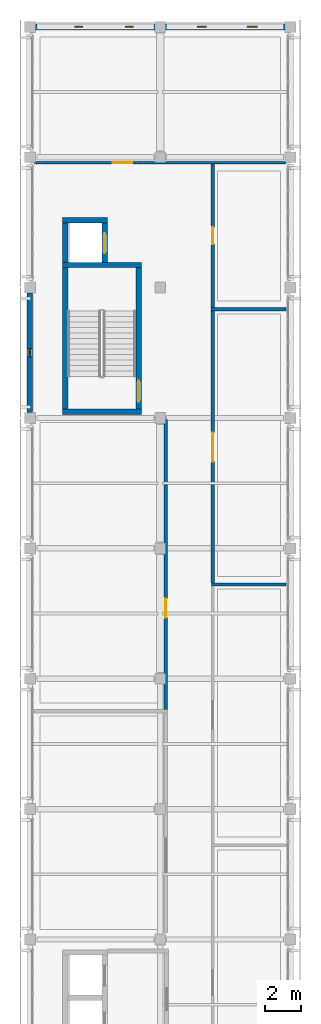
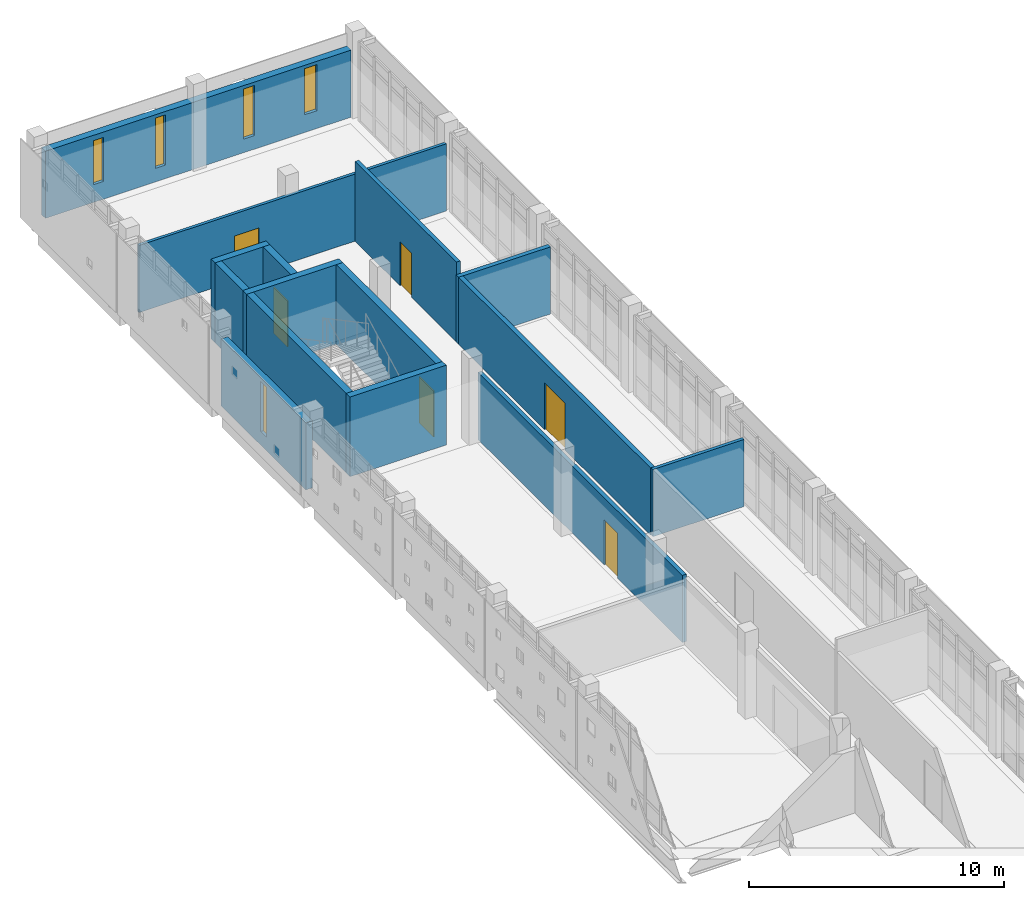
# One storey, part 16 of 21: 15 walls, 6 doors, 5 windows, 11 openings.
"""IFC4 building model written with IfcOpenShell, lengths in metres."""

from ifc_helpers import new_model, si_unit, direction, frame, frame_2d, origin, place, context, subcontext, project, spatial, rectangle, extrude, material, layer, layer_set, type_object, element, fill, save


model = new_model("IFC4")

# Units and contexts
model_context = context("Model", 3, precision=1e-05, world=origin(), true_north=direction((0.0, 1.0)))
body_context = subcontext(model_context, "Body", "Model", "MODEL_VIEW")
ifc_project = project(units=[si_unit("LENGTHUNIT", "METRE"), si_unit("AREAUNIT", "SQUARE_METRE"), si_unit("VOLUMEUNIT", "CUBIC_METRE"), si_unit("PLANEANGLEUNIT", "RADIAN"), si_unit("MASSUNIT", "GRAM", prefix="KILO")], contexts=[model_context])

# Site, building, storey
site_placement = place(None, origin())
site = spatial("IfcSite", under=ifc_project, at=site_placement, CompositionType="ELEMENT")
building_placement = place(site_placement, origin())
building = spatial("IfcBuilding", under=site, at=building_placement, Name="Valkovuoma Quantum and Materials Research Institute", CompositionType="ELEMENT")
storey_placement = place(building_placement, frame((0.0, 0.0, 29.760009765625)))
storey = spatial("IfcBuildingStorey", under=building, at=storey_placement, Name="L07", CompositionType="ELEMENT", Elevation=29.760009765625)

# Walls
ifc_material_1 = material(Name="Concrete C40/50", Category="concrete")
ifc_layer_1 = layer(ifc_material_1, 0.300048828125)
ifc_layer_set_1 = layer_set([ifc_layer_1], Name="Concrete C40/50")
wall_type_1 = type_object("IfcWallType", Name="Wall-W-COR300", PredefinedType="SHEAR", material=ifc_layer_set_1)
for number, where, z_axis, x_axis, name in (
    (1, (1.800048828125, 72.35009765625, 0.0), (0.0, 0.0, 1.0), (1.0, 0.0, 0.0), "L07 core wall 0178"),
    (2, (1.800048828125, 80.449951171875, 0.0), (0.0, 0.0, 1.0), (1.0, 0.0, 0.0), "L07 core wall 0179"),
):
    element("IfcWall", number, at=place(storey_placement, frame(where, z_axis=z_axis, x_axis=x_axis)), inside=storey, type_object=wall_type_1, Name=name, PredefinedType="SHEAR", context=body_context, shape_type="SweptSolid", body=[
        extrude(rectangle(XDim=4.349853515625, YDim=0.300048828125, at=frame_2d((2.1748046875, 0.0))), origin(), (0.0, 0.0, 1.0), 3.81005859375),
    ])
wall_1_placement = place(storey_placement, frame((1.949951171875, 72.5, 0.0), z_axis=(0.0, 0.0, 1.0), x_axis=(0.0, 1.0, 0.0)))
element("IfcWall", 3, at=wall_1_placement, inside=storey, type_object=wall_type_1, Name="L07 core wall 0180", PredefinedType="SHEAR", context=body_context, shape_type="SweptSolid", body=[
    extrude(rectangle(XDim=7.800048828125, YDim=0.300048828125, at=frame_2d((3.89990234375, 0.0))), origin(), (0.0, 0.0, 1.0), 3.81005859375),
])

# Wall, opening, door
wall_2_placement = place(storey_placement, frame((6.0, 72.5, 0.0), z_axis=(0.0, 0.0, 1.0), x_axis=(0.0, 1.0, 0.0)))
wall_2 = element("IfcWall", 4, at=wall_2_placement, inside=storey, type_object=wall_type_1, Name="L07 core wall 0181", PredefinedType="SHEAR", context=body_context, shape_type="SweptSolid", body=[
    extrude(rectangle(XDim=7.800048828125, YDim=0.300048828125, at=frame_2d((3.89990234375, 0.0))), origin(), (0.0, 0.0, 1.0), 3.81005859375),
])
opening_1_placement = place(wall_2_placement, frame((0.39990234375, 0.0, 0.0)))
opening_1 = element("IfcOpeningElement", 5, at=opening_1_placement, cuts=wall_2, Name="Opening SD-031", PredefinedType="OPENING", context=body_context, shape_type="SweptSolid", body=[
    extrude(rectangle(XDim=1.14990234375, YDim=2.199951171875, at=frame_2d((0.574951171875, 1.10009765625))), frame((0.0, 0.16015625, 0.0), z_axis=(0.0, -1.0, 0.0), x_axis=(1.0, 0.0, 0.0)), (0.0, 0.0, 1.0), 0.320068359375),
])
ifc_material_2 = material(Name="Powder-coated steel and acoustic timber door assembly", Category="steel")
door_type_1 = type_object("IfcDoorType", Name="Door-DR-ST60", OperationType="NOTDEFINED", PredefinedType="DOOR", material=ifc_material_2)
door_1_placement = place(opening_1_placement, origin())
door_1 = element("IfcDoor", 6, at=door_1_placement, inside=storey, type_object=door_type_1, Name="L07 ST-2 fire door", OperationType="SINGLE_SWING_RIGHT", OverallHeight=2.199951171875, OverallWidth=1.14990234375, PredefinedType="DOOR", context=body_context, shape_type="SweptSolid", body=[
    extrude(rectangle(XDim=1.14990234375, YDim=2.199951171875, at=frame_2d((0.574951171875, 1.10009765625))), frame((0.0, 0.02490234375, 0.0), z_axis=(0.0, -1.0, 0.0), x_axis=(1.0, 0.0, 0.0)), (0.0, 0.0, 1.0), 0.050048828125),
])
fill(opening_1, door_1)

# Walls
wall_3_placement = place(storey_placement, frame((1.800048828125, 82.929931640625, 0.0), z_axis=(0.0, 0.0, 1.0), x_axis=(1.0, 0.0, 0.0)))
element("IfcWall", 7, at=wall_3_placement, inside=storey, type_object=wall_type_1, Name="L07 core wall 0182", PredefinedType="SHEAR", context=body_context, shape_type="SweptSolid", body=[
    extrude(rectangle(XDim=2.47998046875, YDim=0.300048828125, at=frame_2d((1.239990234375, 0.0))), origin(), (0.0, 0.0, 1.0), 3.81005859375),
])
wall_4_placement = place(storey_placement, frame((1.949951171875, 80.60009765625, 0.0), z_axis=(0.0, 0.0, 1.0), x_axis=(0.0, 1.0, 0.0)))
element("IfcWall", 8, at=wall_4_placement, inside=storey, type_object=wall_type_1, Name="L07 core wall 0183", PredefinedType="SHEAR", context=body_context, shape_type="SweptSolid", body=[
    extrude(rectangle(XDim=2.179931640625, YDim=0.300048828125, at=frame_2d((1.08984375, 0.0))), origin(), (0.0, 0.0, 1.0), 3.81005859375),
])

# Wall, opening, door
wall_5_placement = place(storey_placement, frame((4.1298828125, 80.60009765625, 0.0), z_axis=(0.0, 0.0, 1.0), x_axis=(0.0, 1.0, 0.0)))
wall_5 = element("IfcWall", 9, at=wall_5_placement, inside=storey, type_object=wall_type_1, Name="L07 core wall 0184", PredefinedType="SHEAR", context=body_context, shape_type="SweptSolid", body=[
    extrude(rectangle(XDim=2.179931640625, YDim=0.300048828125, at=frame_2d((1.08984375, 0.0))), origin(), (0.0, 0.0, 1.0), 3.81005859375),
])
opening_2_placement = place(wall_5_placement, frame((0.5, 0.0, 0.0)))
opening_2 = element("IfcOpeningElement", 10, at=opening_2_placement, cuts=wall_5, Name="Opening LD-031", PredefinedType="OPENING", context=body_context, shape_type="SweptSolid", body=[
    extrude(rectangle(XDim=1.10009765625, YDim=2.199951171875, at=frame_2d((0.550048828125, 1.10009765625))), frame((0.0, 0.16015625, 0.0), z_axis=(0.0, -1.0, 0.0), x_axis=(1.0, 0.0, 0.0)), (0.0, 0.0, 1.0), 0.320068359375),
])
ifc_material_3 = material(Name="Powder-coated steel and acoustic timber door assembly", Category="steel")
door_type_2 = type_object("IfcDoorType", Name="Door-DR-LD01", OperationType="NOTDEFINED", PredefinedType="DOOR", material=ifc_material_3)
door_2_placement = place(opening_2_placement, origin())
door_2 = element("IfcDoor", 11, at=door_2_placement, inside=storey, type_object=door_type_2, Name="L07 LIFT-P2 sliding landing door", OperationType="SLIDING_TO_LEFT", OverallHeight=2.199951171875, OverallWidth=1.10009765625, PredefinedType="DOOR", context=body_context, shape_type="SweptSolid", body=[
    extrude(rectangle(XDim=1.10009765625, YDim=2.199951171875, at=frame_2d((0.550048828125, 1.10009765625))), frame((0.0, 0.02490234375, 0.0), z_axis=(0.0, -1.0, 0.0), x_axis=(1.0, 0.0, 0.0)), (0.0, 0.0, 1.0), 0.050048828125),
])
fill(opening_2, door_2)

# Wall, opening, window
ifc_material_4 = material(Name="Precast concrete C40/50", Category="concrete")
ifc_layer_2 = layer(ifc_material_4, 0.300048828125)
ifc_layer_set_2 = layer_set([ifc_layer_2], Name="Precast concrete C40/50")
wall_type_2 = type_object("IfcWallType", Name="Wall-W-EXT300", PredefinedType="SOLIDWALL", material=ifc_layer_set_2)
wall_6_placement = place(storey_placement, frame((0.0, 72.2900390625, 0.0), z_axis=(0.0, 0.0, 1.0), x_axis=(0.0, 1.0, 0.0)))
wall_6 = element("IfcWall", 12, at=wall_6_placement, inside=storey, type_object=wall_type_2, Name="L07 exterior wall 0060", PredefinedType="SOLIDWALL", context=body_context, shape_type="SweptSolid", body=[
    extrude(rectangle(XDim=6.619873046875, YDim=0.300048828125, at=frame_2d((3.31005859375, 0.0))), origin(), (0.0, 0.0, 1.0), 3.2099609375),
])
opening_3_placement = place(wall_6_placement, frame((3.0849609375, 0.0, 0.64990234375)))
opening_3 = element("IfcOpeningElement", 13, at=opening_3_placement, cuts=wall_6, Name="Opening WN-SL01", PredefinedType="OPENING", context=body_context, shape_type="SweptSolid", body=[
    extrude(rectangle(XDim=0.449951171875, YDim=2.39990234375, at=frame_2d((0.22509765625, 1.199951171875))), frame((0.0, 0.16015625, 0.0), z_axis=(0.0, -1.0, 0.0), x_axis=(1.0, 0.0, 0.0)), (0.0, 0.0, 1.0), 0.320068359375),
])
ifc_material_5 = material(Name="Triple low-E argon glazing in thermally broken aluminium frame", Category="aluminium")
window_type_1 = type_object("IfcWindowType", Name="Win-WN-SL01", PartitioningType="SINGLE_PANEL", PredefinedType="WINDOW", material=ifc_material_5)
window_1_placement = place(opening_3_placement, origin())
window_1 = element("IfcWindow", 14, at=window_1_placement, inside=storey, type_object=window_type_1, Name="L07 window 0059", OverallHeight=2.39990234375, OverallWidth=0.449951171875, PartitioningType="SINGLE_PANEL", PredefinedType="WINDOW", context=body_context, shape_type="SweptSolid", body=[
    extrude(rectangle(XDim=0.449951171875, YDim=2.39990234375, at=frame_2d((0.22509765625, 1.199951171875))), frame((0.0, 0.030029296875, 0.0), z_axis=(0.0, -1.0, 0.0), x_axis=(1.0, 0.0, 0.0)), (0.0, 0.0, 1.0), 0.06005859375),
])
fill(opening_3, window_1)

# Wall, openings, windows
ifc_material_6 = material(Name="Precast concrete C40/50", Category="concrete")
ifc_layer_3 = layer(ifc_material_6, 0.320068359375)
ifc_layer_set_3 = layer_set([ifc_layer_3], Name="Precast concrete C40/50")
wall_type_3 = type_object("IfcWallType", Name="Wall-W-EXT320", PredefinedType="SOLIDWALL", material=ifc_layer_set_3)
wall_7_placement = place(storey_placement, frame((0.2900390625, 93.60009765625, 0.0), z_axis=(0.0, 0.0, 1.0), x_axis=(1.0, 0.0, 0.0)))
wall_7 = element("IfcWall", 15, at=wall_7_placement, inside=storey, type_object=wall_type_3, Name="L07 exterior wall 0058", PredefinedType="SOLIDWALL", context=body_context, shape_type="SweptSolid", body=[
    extrude(rectangle(XDim=13.820068359375, YDim=0.320068359375, at=frame_2d((6.91015625, 0.0))), origin(), (0.0, 0.0, 1.0), 3.2099609375),
])
opening_4_placement = place(wall_7_placement, frame((2.175048828125, 0.0, 0.85009765625)))
opening_4 = element("IfcOpeningElement", 16, at=opening_4_placement, cuts=wall_7, Name="Opening WN-SL04", PredefinedType="OPENING", context=body_context, shape_type="SweptSolid", body=[
    extrude(rectangle(XDim=0.449951171875, YDim=2.10009765625, at=frame_2d((0.22509765625, 1.050048828125))), frame((0.0, 0.169921875, 0.0), z_axis=(0.0, -1.0, 0.0), x_axis=(1.0, 0.0, 0.0)), (0.0, 0.0, 1.0), 0.340087890625),
])
opening_5_placement = place(wall_7_placement, frame((4.97509765625, 0.0, 0.64990234375)))
opening_5 = element("IfcOpeningElement", 17, at=opening_5_placement, cuts=wall_7, Name="Opening WN-SL01", PredefinedType="OPENING", context=body_context, shape_type="SweptSolid", body=[
    extrude(rectangle(XDim=0.449951171875, YDim=2.39990234375, at=frame_2d((0.22509765625, 1.199951171875))), frame((0.0, 0.169921875, 0.0), z_axis=(0.0, -1.0, 0.0), x_axis=(1.0, 0.0, 0.0)), (0.0, 0.0, 1.0), 0.340087890625),
])
opening_6_placement = place(wall_7_placement, frame((8.949951171875, 0.0, 0.64990234375)))
opening_6 = element("IfcOpeningElement", 18, at=opening_6_placement, cuts=wall_7, Name="Opening WN-SL02", PredefinedType="OPENING", context=body_context, shape_type="SweptSolid", body=[
    extrude(rectangle(XDim=0.5, YDim=2.39990234375, at=frame_2d((0.25, 1.199951171875))), frame((0.0, 0.169921875, 0.0), z_axis=(0.0, -1.0, 0.0), x_axis=(1.0, 0.0, 0.0)), (0.0, 0.0, 1.0), 0.340087890625),
])
opening_7_placement = place(wall_7_placement, frame((11.72509765625, 0.0, 0.85009765625)))
opening_7 = element("IfcOpeningElement", 19, at=opening_7_placement, cuts=wall_7, Name="Opening WN-SL03", PredefinedType="OPENING", context=body_context, shape_type="SweptSolid", body=[
    extrude(rectangle(XDim=0.550048828125, YDim=2.199951171875, at=frame_2d((0.27490234375, 1.10009765625))), frame((0.0, 0.169921875, 0.0), z_axis=(0.0, -1.0, 0.0), x_axis=(1.0, 0.0, 0.0)), (0.0, 0.0, 1.0), 0.340087890625),
])
window_2_placement = place(opening_5_placement, origin())
window_2 = element("IfcWindow", 20, at=window_2_placement, inside=storey, type_object=window_type_1, Name="L07 window 0056", OverallHeight=2.39990234375, OverallWidth=0.449951171875, PartitioningType="SINGLE_PANEL", PredefinedType="WINDOW", context=body_context, shape_type="SweptSolid", body=[
    extrude(rectangle(XDim=0.449951171875, YDim=2.39990234375, at=frame_2d((0.22509765625, 1.199951171875))), frame((0.0, 0.030029296875, 0.0), z_axis=(0.0, -1.0, 0.0), x_axis=(1.0, 0.0, 0.0)), (0.0, 0.0, 1.0), 0.06005859375),
])
fill(opening_5, window_2)
ifc_material_7 = material(Name="Triple low-E argon glazing in thermally broken aluminium frame", Category="aluminium")
window_type_2 = type_object("IfcWindowType", Name="Win-WN-SL02", PartitioningType="SINGLE_PANEL", PredefinedType="WINDOW", material=ifc_material_7)
window_3_placement = place(opening_6_placement, origin())
window_3 = element("IfcWindow", 21, at=window_3_placement, inside=storey, type_object=window_type_2, Name="L07 window 0057", OverallHeight=2.39990234375, OverallWidth=0.5, PartitioningType="SINGLE_PANEL", PredefinedType="WINDOW", context=body_context, shape_type="SweptSolid", body=[
    extrude(rectangle(XDim=0.5, YDim=2.39990234375, at=frame_2d((0.25, 1.199951171875))), frame((0.0, 0.030029296875, 0.0), z_axis=(0.0, -1.0, 0.0), x_axis=(1.0, 0.0, 0.0)), (0.0, 0.0, 1.0), 0.06005859375),
])
fill(opening_6, window_3)
ifc_material_8 = material(Name="Triple low-E argon glazing in thermally broken aluminium frame", Category="aluminium")
window_type_3 = type_object("IfcWindowType", Name="Win-WN-SL03", PartitioningType="SINGLE_PANEL", PredefinedType="WINDOW", material=ifc_material_8)
window_4_placement = place(opening_7_placement, origin())
window_4 = element("IfcWindow", 22, at=window_4_placement, inside=storey, type_object=window_type_3, Name="L07 window 0058", OverallHeight=2.199951171875, OverallWidth=0.550048828125, PartitioningType="SINGLE_PANEL", PredefinedType="WINDOW", context=body_context, shape_type="SweptSolid", body=[
    extrude(rectangle(XDim=0.550048828125, YDim=2.199951171875, at=frame_2d((0.27490234375, 1.10009765625))), frame((0.0, 0.030029296875, 0.0), z_axis=(0.0, -1.0, 0.0), x_axis=(1.0, 0.0, 0.0)), (0.0, 0.0, 1.0), 0.06005859375),
])
fill(opening_7, window_4)
ifc_material_9 = material(Name="Triple low-E argon glazing in thermally broken aluminium frame", Category="aluminium")
window_type_4 = type_object("IfcWindowType", Name="Win-WN-SL04", PartitioningType="SINGLE_PANEL", PredefinedType="WINDOW", material=ifc_material_9)
window_5_placement = place(opening_4_placement, origin())
window_5 = element("IfcWindow", 23, at=window_5_placement, inside=storey, type_object=window_type_4, Name="L07 window 0055", OverallHeight=2.10009765625, OverallWidth=0.449951171875, PartitioningType="SINGLE_PANEL", PredefinedType="WINDOW", context=body_context, shape_type="SweptSolid", body=[
    extrude(rectangle(XDim=0.449951171875, YDim=2.10009765625, at=frame_2d((0.22509765625, 1.050048828125))), frame((0.0, 0.030029296875, 0.0), z_axis=(0.0, -1.0, 0.0), x_axis=(1.0, 0.0, 0.0)), (0.0, 0.0, 1.0), 0.06005859375),
])
fill(opening_4, window_5)

# Wall, opening, door
ifc_material_10 = material(Name="Interior office stud partition", Category="masonry")
ifc_layer_4 = layer(ifc_material_10, 0.135009765625)
ifc_layer_set_4 = layer_set([ifc_layer_4], Name="Interior office stud partition")
wall_type_4 = type_object("IfcWallType", Name="Wall-W-PRT135", PredefinedType="PARTITIONING", material=ifc_layer_set_4)
wall_8_placement = place(storey_placement, frame((0.25, 86.10009765625, 0.0), z_axis=(0.0, 0.0, 1.0), x_axis=(1.0, 0.0, 0.0)))
wall_8 = element("IfcWall", 24, at=wall_8_placement, inside=storey, type_object=wall_type_4, Name="L07 partition 0255", PredefinedType="PARTITIONING", context=body_context, shape_type="SweptSolid", body=[
    extrude(rectangle(XDim=13.89990234375, YDim=0.135009765625, at=frame_2d((6.949951171875, 0.0))), origin(), (0.0, 0.0, 1.0), 3.2099609375),
])
opening_8_placement = place(wall_8_placement, frame((4.31494140625, 0.0, 0.0)))
opening_8 = element("IfcOpeningElement", 25, at=opening_8_placement, cuts=wall_8, Name="Opening ID-0182", PredefinedType="OPENING", context=body_context, shape_type="SweptSolid", body=[
    extrude(rectangle(XDim=1.10009765625, YDim=2.14990234375, at=frame_2d((0.550048828125, 1.074951171875))), frame((0.0, 0.07763671875, 0.0), z_axis=(0.0, -1.0, 0.0), x_axis=(1.0, 0.0, 0.0)), (0.0, 0.0, 1.0), 0.155029296875),
])
ifc_material_11 = material(Name="Powder-coated steel and acoustic timber door assembly", Category="steel")
door_type_3 = type_object("IfcDoorType", Name="Door-DR-LB02", OperationType="NOTDEFINED", PredefinedType="DOOR", material=ifc_material_11)
door_3_placement = place(opening_8_placement, origin())
door_3 = element("IfcDoor", 26, at=door_3_placement, inside=storey, type_object=door_type_3, Name="L07 room door 0182", OperationType="SINGLE_SWING_LEFT", OverallHeight=2.14990234375, OverallWidth=1.10009765625, PredefinedType="DOOR", context=body_context, shape_type="SweptSolid", body=[
    extrude(rectangle(XDim=1.10009765625, YDim=2.14990234375, at=frame_2d((0.550048828125, 1.074951171875))), frame((0.0, 0.02490234375, 0.0), z_axis=(0.0, -1.0, 0.0), x_axis=(1.0, 0.0, 0.0)), (0.0, 0.0, 1.0), 0.050048828125),
])
fill(opening_8, door_3)

# Wall
ifc_material_12 = material(Name="Acoustic write-up studio partition", Category="masonry")
ifc_layer_5 = layer(ifc_material_12, 0.14990234375)
ifc_layer_set_5 = layer_set([ifc_layer_5], Name="Acoustic write-up studio partition")
wall_type_5 = type_object("IfcWallType", Name="Wall-W-PRT150", PredefinedType="PARTITIONING", material=ifc_layer_set_5)
wall_9_placement = place(storey_placement, frame((10.02490234375, 62.800048828125, 0.0), z_axis=(0.0, 0.0, 1.0), x_axis=(1.0, 0.0, 0.0)))
element("IfcWall", 27, at=wall_9_placement, inside=storey, type_object=wall_type_5, Name="L07 partition 0260", PredefinedType="PARTITIONING", context=body_context, shape_type="SweptSolid", body=[
    extrude(rectangle(XDim=4.125, YDim=0.14990234375, at=frame_2d((2.0625, 0.0))), origin(), (0.0, 0.0, 1.0), 3.2099609375),
])

# Wall, opening, door
ifc_material_13 = material(Name="Laboratory fire-rated gypsum partition", Category="masonry")
ifc_layer_6 = layer(ifc_material_13, 0.179931640625)
ifc_layer_set_6 = layer_set([ifc_layer_6], Name="Laboratory fire-rated gypsum partition")
wall_type_6 = type_object("IfcWallType", Name="Wall-W-PRT180", PredefinedType="PARTITIONING", material=ifc_layer_set_6)
wall_10_placement = place(storey_placement, frame((7.5, 55.889892578125, 0.0), z_axis=(0.0, 0.0, 1.0), x_axis=(0.0, 1.0, 0.0)))
wall_10 = element("IfcWall", 28, at=wall_10_placement, inside=storey, type_object=wall_type_6, Name="L07 partition 0254", PredefinedType="PARTITIONING", context=body_context, shape_type="SweptSolid", body=[
    extrude(rectangle(XDim=16.02001953125, YDim=0.179931640625, at=frame_2d((8.010009765625, 0.0))), origin(), (0.0, 0.0, 1.0), 3.2099609375),
])
opening_9_placement = place(wall_10_placement, frame((5.08203125, 0.0, 0.0)))
opening_9 = element("IfcOpeningElement", 29, at=opening_9_placement, cuts=wall_10, Name="Opening ID-0181", PredefinedType="OPENING", context=body_context, shape_type="SweptSolid", body=[
    extrude(rectangle(XDim=1.050048828125, YDim=2.14990234375, at=frame_2d((0.52490234375, 1.074951171875))), frame((0.0, 0.10009765625, 0.0), z_axis=(0.0, -1.0, 0.0), x_axis=(1.0, 0.0, 0.0)), (0.0, 0.0, 1.0), 0.199951171875),
])
ifc_material_14 = material(Name="Powder-coated steel and acoustic timber door assembly", Category="steel")
door_type_4 = type_object("IfcDoorType", Name="Door-DR-LB01", OperationType="NOTDEFINED", PredefinedType="DOOR", material=ifc_material_14)
door_4_placement = place(opening_9_placement, origin())
door_4 = element("IfcDoor", 30, at=door_4_placement, inside=storey, type_object=door_type_4, Name="L07 room door 0181", OperationType="SINGLE_SWING_RIGHT", OverallHeight=2.14990234375, OverallWidth=1.050048828125, PredefinedType="DOOR", context=body_context, shape_type="SweptSolid", body=[
    extrude(rectangle(XDim=1.050048828125, YDim=2.14990234375, at=frame_2d((0.52490234375, 1.074951171875))), frame((0.0, 0.02490234375, 0.0), z_axis=(0.0, -1.0, 0.0), x_axis=(1.0, 0.0, 0.0)), (0.0, 0.0, 1.0), 0.050048828125),
])
fill(opening_9, door_4)

wall_11_placement = place(storey_placement, frame((10.10009765625, 78.10009765625, 0.0), z_axis=(0.0, 0.0, 1.0), x_axis=(0.0, 1.0, 0.0)))
wall_11 = element("IfcWall", 31, at=wall_11_placement, inside=storey, type_object=wall_type_6, Name="L07 partition 0264", PredefinedType="PARTITIONING", context=body_context, shape_type="SweptSolid", body=[
    extrude(rectangle(XDim=7.932373046875, YDim=0.179931640625, at=frame_2d((3.96630859375, 0.0))), origin(), (0.0, 0.0, 1.0), 3.81005859375),
])
opening_10_placement = place(wall_11_placement, frame((3.50634765625, 0.0, 0.0)))
opening_10 = element("IfcOpeningElement", 32, at=opening_10_placement, cuts=wall_11, Name="Opening ID-0187", PredefinedType="OPENING", context=body_context, shape_type="SweptSolid", body=[
    extrude(rectangle(XDim=0.919921875, YDim=2.10009765625, at=frame_2d((0.4599609375, 1.050048828125))), frame((0.0, 0.10009765625, 0.0), z_axis=(0.0, -1.0, 0.0), x_axis=(1.0, 0.0, 0.0)), (0.0, 0.0, 1.0), 0.199951171875),
])
ifc_material_15 = material(Name="Powder-coated steel and acoustic timber door assembly", Category="steel")
door_type_5 = type_object("IfcDoorType", Name="Door-DR-OF01", OperationType="NOTDEFINED", PredefinedType="DOOR", material=ifc_material_15)
door_5_placement = place(opening_10_placement, origin())
door_5 = element("IfcDoor", 33, at=door_5_placement, inside=storey, type_object=door_type_5, Name="L07 room door 0187", OperationType="SINGLE_SWING_RIGHT", OverallHeight=2.10009765625, OverallWidth=0.919921875, PredefinedType="DOOR", context=body_context, shape_type="SweptSolid", body=[
    extrude(rectangle(XDim=0.919921875, YDim=2.10009765625, at=frame_2d((0.4599609375, 1.050048828125))), frame((0.0, 0.02490234375, 0.0), z_axis=(0.0, -1.0, 0.0), x_axis=(1.0, 0.0, 0.0)), (0.0, 0.0, 1.0), 0.050048828125),
])
fill(opening_10, door_5)

# Wall
ifc_material_16 = material(Name="Acoustic double-stud gypsum and mineral wool partition", Category="masonry")
ifc_layer_7 = layer(ifc_material_16, 0.199951171875)
ifc_layer_set_7 = layer_set([ifc_layer_7], Name="Acoustic double-stud gypsum and mineral wool partition")
wall_type_7 = type_object("IfcWallType", Name="Wall-W-PRT200", PredefinedType="PARTITIONING", material=ifc_layer_set_7)
wall_12_placement = place(storey_placement, frame((10.0, 78.0, 0.0), z_axis=(0.0, 0.0, 1.0), x_axis=(1.0, 0.0, 0.0)))
element("IfcWall", 34, at=wall_12_placement, inside=storey, type_object=wall_type_7, Name="L07 partition 0262", PredefinedType="PARTITIONING", context=body_context, shape_type="SweptSolid", body=[
    extrude(rectangle(XDim=4.14990234375, YDim=0.199951171875, at=frame_2d((2.074951171875, 0.0))), origin(), (0.0, 0.0, 1.0), 3.2099609375),
])

# Wall, opening, door
wall_13_placement = place(storey_placement, frame((10.10009765625, 62.875, 0.0), z_axis=(0.0, 0.0, 1.0), x_axis=(0.0, 1.0, 0.0)))
wall_13 = element("IfcWall", 35, at=wall_13_placement, inside=storey, type_object=wall_type_7, Name="L07 partition 0263", PredefinedType="PARTITIONING", context=body_context, shape_type="SweptSolid", body=[
    extrude(rectangle(XDim=15.02490234375, YDim=0.199951171875, at=frame_2d((7.512451171875, 0.0))), origin(), (0.0, 0.0, 1.0), 3.2099609375),
])
opening_11_placement = place(wall_13_placement, frame((6.71240234375, 0.0, 0.0)))
opening_11 = element("IfcOpeningElement", 36, at=opening_11_placement, cuts=wall_13, Name="Opening ID-0186", PredefinedType="OPENING", context=body_context, shape_type="SweptSolid", body=[
    extrude(rectangle(XDim=1.60009765625, YDim=2.25, at=frame_2d((0.800048828125, 1.125))), frame((0.0, 0.10986328125, 0.0), z_axis=(0.0, -1.0, 0.0), x_axis=(1.0, 0.0, 0.0)), (0.0, 0.0, 1.0), 0.219970703125),
])
ifc_material_17 = material(Name="Powder-coated steel and acoustic timber door assembly", Category="steel")
door_type_6 = type_object("IfcDoorType", Name="Door-DR-LB06", OperationType="NOTDEFINED", PredefinedType="DOOR", material=ifc_material_17)
door_6_placement = place(opening_11_placement, origin())
door_6 = element("IfcDoor", 37, at=door_6_placement, inside=storey, type_object=door_type_6, Name="L07 room door 0186", OperationType="DOUBLE_DOOR_SINGLE_SWING", OverallHeight=2.25, OverallWidth=1.60009765625, PredefinedType="DOOR", context=body_context, shape_type="SweptSolid", body=[
    extrude(rectangle(XDim=1.60009765625, YDim=2.25, at=frame_2d((0.800048828125, 1.125))), frame((0.0, 0.02490234375, 0.0), z_axis=(0.0, -1.0, 0.0), x_axis=(1.0, 0.0, 0.0)), (0.0, 0.0, 1.0), 0.050048828125),
])
fill(opening_11, door_6)

save(model, "model.ifc")
